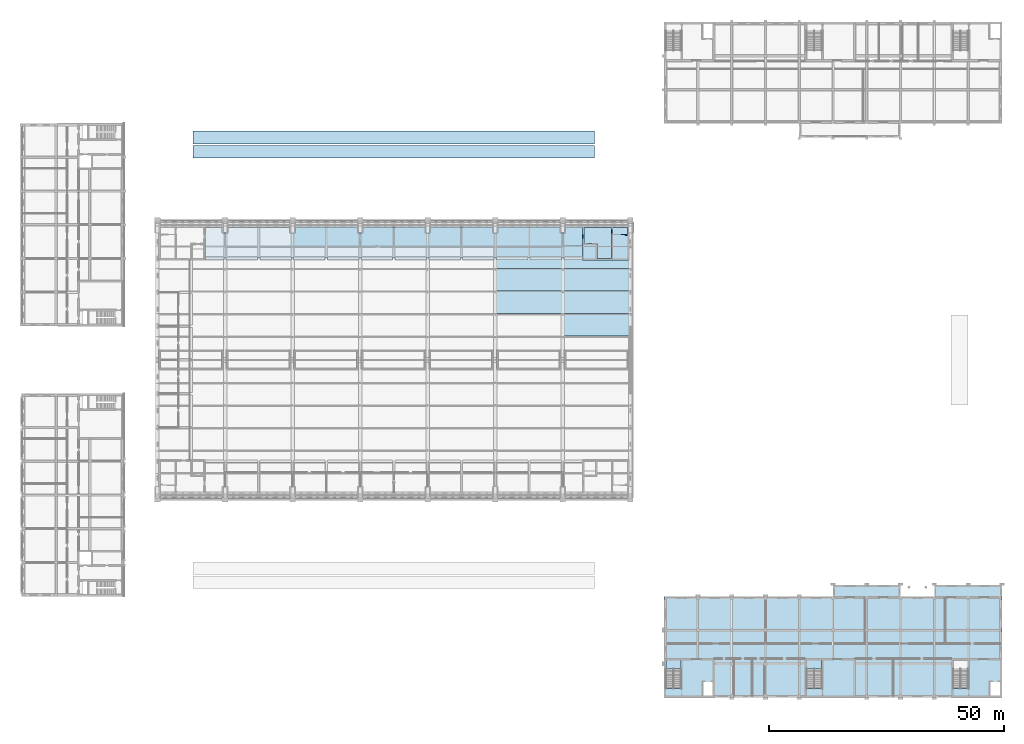
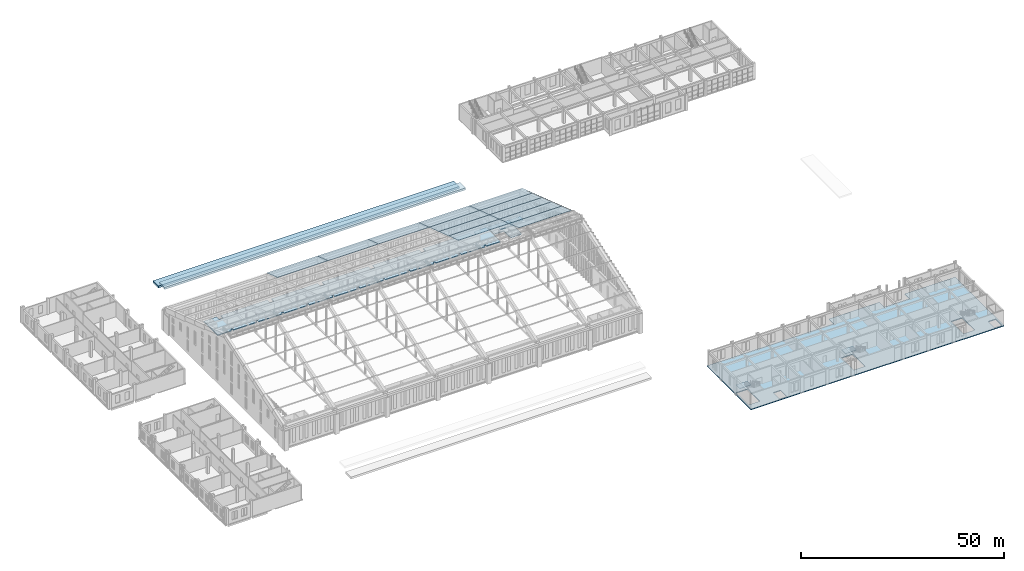
# One storey, part 115 of 149: 21 slabs, 2 elements without a shape of their own.
"""IFC4 building model written with IfcOpenShell, lengths in metres."""

import ifcopenshell
import ifcopenshell.guid

model = None  # the IFC model being written
_history = None  # IfcOwnerHistory: only IFC2X3 demands one
_inside = {}  # id of a spatial element -> (the spatial element, [elements in it])
_under = {}  # id of a project, library or spatial element -> (it, [spatial elements below it])
_declared = {}  # id of a project -> (the project, [libraries it declares])
_typed = {}  # id of a type object -> (the type object, [elements of that type])
_made_of = {}  # id of a material, layer set ... -> (it, [elements and type objects made of it])


def new_model(schema):
    """Start an empty IFC model of exactly this schema.

    Asked for "IFC4X3", IfcOpenShell would pick the latest addendum, in which some entities
    have other attributes; the version numbers below select the first issue.
    IFC2X3 requires an IfcOwnerHistory on every rooted entity: one is made here for all.
    """
    global model, _history
    if schema == "IFC4X3":
        model = ifcopenshell.file(schema_version=(4, 3, 0, 0))
    else:
        model = ifcopenshell.file(schema=schema)
    _inside.clear()
    _under.clear()
    _declared.clear()
    _typed.clear()
    _made_of.clear()
    _history = None
    if model.schema == "IFC2X3":
        org = make("IfcOrganization", Name="unknown")
        user = make(
            "IfcPersonAndOrganization",
            ThePerson=make("IfcPerson", FamilyName="unknown"),
            TheOrganization=org,
        )
        app = make(
            "IfcApplication",
            ApplicationDeveloper=org,
            Version="unknown",
            ApplicationFullName="unknown",
            ApplicationIdentifier="unknown",
        )
        _history = make(
            "IfcOwnerHistory",
            OwningUser=user,
            OwningApplication=app,
            ChangeAction="ADDED",
            CreationDate=0,
        )
    return model


def make(cls, **values):
    """One entity of the class cls with the attributes given. An attribute that is None is left unset."""
    return model.create_entity(
        cls, **{name: value for name, value in values.items() if value is not None}
    )


def rooted(cls, **values):
    """An entity with a GlobalId (a new one), such as an element, a storey or a relation."""
    return make(cls, GlobalId=ifcopenshell.guid.new(), OwnerHistory=_history, **values)


def si_unit(unit_type, name, prefix=None):
    """IfcSIUnit, for example si_unit("LENGTHUNIT", "METRE", prefix="MILLI")."""
    return make("IfcSIUnit", UnitType=unit_type, Prefix=prefix, Name=name)


def assignment(units):
    """IfcUnitAssignment: the units of a project."""
    return None if units is None else make("IfcUnitAssignment", Units=units)


def point(xyz):
    """IfcCartesianPoint."""
    return None if xyz is None else make("IfcCartesianPoint", Coordinates=xyz)


def direction(xyz):
    """IfcDirection."""
    return None if xyz is None else make("IfcDirection", DirectionRatios=xyz)


def frame(location, z_axis=None, x_axis=None):
    """IfcAxis2Placement3D, a coordinate frame: its origin and axes. An axis left out is left unset."""
    return make(
        "IfcAxis2Placement3D",
        Location=point(location),
        Axis=direction(z_axis),
        RefDirection=direction(x_axis),
    )


def origin():
    """The frame at (0, 0, 0) with its axes left unset."""
    return frame((0.0, 0.0, 0.0))


def place(relative_to, where):
    """IfcLocalPlacement: puts the frame where relative to a parent placement (None: the world)."""
    return make(
        "IfcLocalPlacement", PlacementRelTo=relative_to, RelativePlacement=where
    )


def context(
    kind, dimensions, precision=None, world=None, true_north=None, identifier=None
):
    """IfcGeometricRepresentationContext, for example the 3D "Model" context."""
    return make(
        "IfcGeometricRepresentationContext",
        ContextIdentifier=identifier,
        ContextType=kind,
        CoordinateSpaceDimension=dimensions,
        Precision=precision,
        WorldCoordinateSystem=world,
        TrueNorth=true_north,
    )


def subcontext(parent, identifier, kind, view, scale=None):
    """IfcGeometricRepresentationSubContext, for example "Body" below "Model"."""
    return make(
        "IfcGeometricRepresentationSubContext",
        ContextIdentifier=identifier,
        ContextType=kind,
        ParentContext=parent,
        TargetScale=scale,
        TargetView=view,
    )


def project(units=None, contexts=None):
    """IfcProject with its units and contexts."""
    return rooted(
        "IfcProject",
        Name="project",
        RepresentationContexts=contexts,
        UnitsInContext=assignment(units),
    )


def spatial(cls, under=None, at=None, **own):
    """A site, building, storey or space (cls), placed at a placement, below another one or the project."""
    s = rooted(cls, ObjectPlacement=at, **own)
    if under is not None:
        _under.setdefault(under.id(), (under, []))[1].append(s)
    return s


def polyline(points):
    """IfcPolyline through the points."""
    return make("IfcPolyline", Points=[point(p) for p in points])


def outline(outer, holes=None, kind="AREA"):
    """IfcArbitraryClosedProfileDef: a profile drawn as a closed curve; with holes, ...WithVoids."""
    if holes is None:
        return make("IfcArbitraryClosedProfileDef", ProfileType=kind, OuterCurve=outer)
    return make(
        "IfcArbitraryProfileDefWithVoids",
        ProfileType=kind,
        OuterCurve=outer,
        InnerCurves=holes,
    )


def extrude(swept, where, along, depth):
    """IfcExtrudedAreaSolid: the profile swept, set in the frame where, extruded along a direction by depth."""
    return make(
        "IfcExtrudedAreaSolid",
        SweptArea=swept,
        Position=where,
        ExtrudedDirection=direction(along),
        Depth=depth,
    )


def shape(context_of_items, identifier, shape_type, items):
    """IfcShapeRepresentation: the items that make up one representation, for example the "Body"."""
    return make(
        "IfcShapeRepresentation",
        ContextOfItems=context_of_items,
        RepresentationIdentifier=identifier,
        RepresentationType=shape_type,
        Items=items,
    )


def material(Name=None, Category=None):
    """IfcMaterial."""
    return make("IfcMaterial", Name=Name, Category=Category)


def layer(
    of_material, thickness, ventilated=None, Name=None, Category=None, Priority=None
):
    """IfcMaterialLayer: one layer of a wall or slab, of a material (None: an air gap)."""
    return make(
        "IfcMaterialLayer",
        Material=of_material,
        LayerThickness=thickness,
        IsVentilated=ventilated,
        Name=Name,
        Category=Category,
        Priority=Priority,
    )


def layer_set(layers, Name=None):
    """IfcMaterialLayerSet."""
    return make("IfcMaterialLayerSet", MaterialLayers=layers, LayerSetName=Name)


def made_of(thing, what):
    """Note that an element or type object is made of a material, layer set ...; save() writes the relation."""
    if what is not None:
        _made_of.setdefault(what.id(), (what, []))[1].append(thing)
    return thing


def type_object(cls, material=None, **own):
    """A type object (cls), such as IfcWallType, which elements share."""
    return made_of(rooted(cls, **own), material)


def element(
    cls,
    number,
    at=None,
    inside=None,
    cuts=None,
    type_object=None,
    material=None,
    context=None,
    identifier="Body",
    shape_type=None,
    held_by="IfcProductDefinitionShape",
    body=None,
    shapes=None,
    **own,
):
    """One element of the class cls, such as IfcWall. Its Tag is "e" and its number.

    at: its placement. inside: the storey or other place that contains it. cuts: it is an
    opening in that element (IfcRelVoidsElement). A single representation is given by context,
    identifier, shape_type and body (its items); several are given by shapes. held_by: the class
    of the entity that holds the representations. save() writes the other relations.
    """
    e = rooted(cls, Tag="e%d" % number, ObjectPlacement=at, **own)
    if body is not None:
        shapes = [shape(context, identifier, shape_type, body)]
    if shapes is not None:
        e.Representation = make(held_by, Representations=shapes)
    if inside is not None:
        _inside.setdefault(inside.id(), (inside, []))[1].append(e)
    if cuts is not None:
        rooted(
            "IfcRelVoidsElement", RelatingBuildingElement=cuts, RelatedOpeningElement=e
        )
    if type_object is not None:
        _typed.setdefault(type_object.id(), (type_object, []))[1].append(e)
    return made_of(e, material)


def aggregate(whole, parts):
    """IfcRelAggregates: a whole, such as a stair, and the parts it consists of."""
    return rooted("IfcRelAggregates", RelatingObject=whole, RelatedObjects=parts)


def save(model, path):
    """Write the relations noted so far, then the file.

    IfcRelAggregates (storeys below a building ...), IfcRelContainedInSpatialStructure (elements
    in a storey), IfcRelDefinesByType, IfcRelAssociatesMaterial and IfcRelDeclares: one each for
    every whole, place, type object, material and project.
    """
    for whole, parts in _under.values():
        aggregate(whole, parts)
    for where, things in _inside.values():
        rooted(
            "IfcRelContainedInSpatialStructure",
            RelatedElements=things,
            RelatingStructure=where,
        )
    for kind, things in _typed.values():
        rooted("IfcRelDefinesByType", RelatedObjects=things, RelatingType=kind)
    for what, things in _made_of.values():
        rooted("IfcRelAssociatesMaterial", RelatedObjects=things, RelatingMaterial=what)
    for by, libraries in _declared.values():
        rooted("IfcRelDeclares", RelatingContext=by, RelatedDefinitions=libraries)
    model.write(path)


model = new_model("IFC4")

# Units and contexts
model_context = context("Model", 3, precision=1e-05, world=origin(), true_north=direction((0.0, 1.0)))
body_context = subcontext(model_context, "Body", "Model", "MODEL_VIEW")
ifc_project = project(units=[si_unit("LENGTHUNIT", "METRE"), si_unit("AREAUNIT", "SQUARE_METRE"), si_unit("VOLUMEUNIT", "CUBIC_METRE"), si_unit("PLANEANGLEUNIT", "RADIAN"), si_unit("MASSUNIT", "GRAM", prefix="KILO")], contexts=[model_context])

# Site, building, storey
site_placement = place(None, origin())
site = spatial("IfcSite", under=ifc_project, at=site_placement, CompositionType="ELEMENT")
building_placement = place(site_placement, origin())
building = spatial("IfcBuilding", under=site, at=building_placement, Name="Alderwick Market Hall", CompositionType="ELEMENT")
storey_placement = place(building_placement, frame((0.0, 0.0, 9.60009765625)))
storey = spatial("IfcBuildingStorey", under=building, at=storey_placement, Name="L01", CompositionType="ELEMENT", Elevation=9.60009765625)

# Slabs
ifc_material_1 = material(Name="Planted soil build-up, Concrete 4000 psi (f'c 28 MPa) drainage layer", Category="concrete")
ifc_layer_1 = layer(ifc_material_1, 0.60009765625)
ifc_layer_set_1 = layer_set([ifc_layer_1], Name="Planted soil build-up, Concrete 4000 psi (f'c 28 MPa) drainage layer")
slab_type_1 = type_object("IfcSlabType", Name="A Planted Terrace Tread 600", PredefinedType="ROOF", material=ifc_layer_set_1)
slab_1_placement = place(storey_placement, frame((0.0, 0.0, 1.39990234375)))
element("IfcSlab", 1, at=slab_1_placement, inside=storey, type_object=slab_type_1, Name="Planted terrace tread 1", PredefinedType="ROOF", context=body_context, shape_type="SweptSolid", body=[
    extrude(outline(polyline([(58.0, 122.25), (143.60009765625, 122.25), (143.60009765625, 124.949951171875), (58.0, 124.949951171875), (58.0, 122.25)])), origin(), (0.0, 0.0, 1.0), 0.60009765625),
])
slab_2_placement = place(storey_placement, origin())
element("IfcSlab", 2, at=slab_2_placement, inside=storey, type_object=slab_type_1, Name="Planted terrace tread 2", PredefinedType="ROOF", context=body_context, shape_type="SweptSolid", body=[
    extrude(outline(polyline([(58.0, 125.25), (143.60009765625, 125.25), (143.60009765625, 127.949951171875), (58.0, 127.949951171875), (58.0, 125.25)])), origin(), (0.0, 0.0, 1.0), 0.599853515625),
])
ifc_material_2 = material(Name="Concrete 4000 psi (f'c 28 MPa)", Category="concrete")
ifc_layer_2 = layer(ifc_material_2, 0.25)
ifc_layer_set_2 = layer_set([ifc_layer_2], Name="Concrete 4000 psi (f'c 28 MPa)")
slab_type_2 = type_object("IfcSlabType", Name="C Floor Slab Concrete 4000 psi 250", PredefinedType="FLOOR", material=ifc_layer_set_2)
slab_3_placement = place(storey_placement, frame((0.0, 0.0, -0.25)))
element("IfcSlab", 3, at=slab_3_placement, inside=storey, type_object=slab_type_2, Name="C.slab.L01.01", PredefinedType="FLOOR", context=body_context, shape_type="SweptSolid", body=[
    extrude(outline(polyline([(158.39990234375, 7.199951171875), (230.39990234375, 7.199951171875), (230.39990234375, 31.199951171875), (216.0, 31.199951171875), (216.0, 28.800048828125), (208.800048828125, 28.800048828125), (208.800048828125, 31.199951171875), (194.39990234375, 31.199951171875), (194.39990234375, 28.800048828125), (158.39990234375, 28.800048828125), (158.39990234375, 7.199951171875)]), holes=[polyline([(158.800048828125, 15.199951171875), (162.0, 15.199951171875), (162.0, 9.110107421875), (158.800048828125, 9.110107421875), (158.800048828125, 15.199951171875)]), polyline([(166.699951171875, 10.60009765625), (168.800048828125, 10.60009765625), (168.800048828125, 7.60009765625), (166.699951171875, 7.60009765625), (166.699951171875, 10.60009765625)]), polyline([(188.800048828125, 15.199951171875), (192.0, 15.199951171875), (192.0, 9.110107421875), (188.800048828125, 9.110107421875), (188.800048828125, 15.199951171875)]), polyline([(220.0, 15.199951171875), (223.199951171875, 15.199951171875), (223.199951171875, 9.110107421875), (220.0, 9.110107421875), (220.0, 15.199951171875)]), polyline([(227.89990234375, 10.60009765625), (230.0, 10.60009765625), (230.0, 7.60009765625), (227.89990234375, 7.60009765625), (227.89990234375, 10.60009765625)])]), origin(), (0.0, 0.0, 1.0), 0.25),
])

# Stair, slab
ifc_material_3 = material(Name="Concrete 5000 psi (f'c 35 MPa)", Category="concrete")
stair_type = type_object("IfcStairType", Name="C Exit Stair 1600", PredefinedType="HALF_TURN_STAIR", material=ifc_material_3)
stair_1_placement = place(storey_placement, origin())
stair_1 = element("IfcStair", 4, at=stair_1_placement, inside=storey, type_object=stair_type, Name="C.stair.L01.A", PredefinedType="HALF_TURN_STAIR")
ifc_layer_3 = layer(ifc_material_3, 0.199951171875)
ifc_layer_set_3 = layer_set([ifc_layer_3], Name="Concrete 5000 psi (f'c 35 MPa)")
slab_type_3 = type_object("IfcSlabType", Name="C Stair Landing Concrete 5000 psi 200", PredefinedType="LANDING", material=ifc_layer_set_3)
slab_4_placement = place(storey_placement, frame((0.0, 0.0, 2.199951171875)))
slab_4 = element("IfcSlab", 5, at=slab_4_placement, type_object=slab_type_3, Name="C-ST-A-L01 landing 1", PredefinedType="LANDING", context=body_context, shape_type="SweptSolid", body=[
    extrude(outline(polyline([(158.800048828125, 15.199951171875), (162.0, 15.199951171875), (162.0, 13.300048828125), (158.800048828125, 13.300048828125), (158.800048828125, 15.199951171875)])), origin(), (0.0, 0.0, 1.0), 0.199951171875),
])
aggregate(stair_1, [slab_4])

stair_2_placement = place(storey_placement, origin())
stair_2 = element("IfcStair", 6, at=stair_2_placement, inside=storey, type_object=stair_type, Name="C.stair.L01.B", PredefinedType="HALF_TURN_STAIR")
slab_5_placement = place(storey_placement, frame((0.0, 0.0, 2.199951171875)))
slab_5 = element("IfcSlab", 7, at=slab_5_placement, type_object=slab_type_3, Name="C-ST-B-L01 landing 1", PredefinedType="LANDING", context=body_context, shape_type="SweptSolid", body=[
    extrude(outline(polyline([(188.800048828125, 15.199951171875), (192.0, 15.199951171875), (192.0, 13.300048828125), (188.800048828125, 13.300048828125), (188.800048828125, 15.199951171875)])), origin(), (0.0, 0.0, 1.0), 0.199951171875),
])
aggregate(stair_2, [slab_5])

# Slabs
ifc_layer_4 = layer(ifc_material_2, 0.199951171875)
ifc_layer_set_4 = layer_set([ifc_layer_4], Name="Concrete 4000 psi (f'c 28 MPa)")
slab_type_4 = type_object("IfcSlabType", Name="H Core roof slab 200", PredefinedType="ROOF", material=ifc_layer_set_4)
slab_6_placement = place(storey_placement, frame((0.0, 0.0, 3.39990234375)))
element("IfcSlab", 8, at=slab_6_placement, inside=storey, type_object=slab_type_4, Name="Core roof H-NE", PredefinedType="ROOF", context=body_context, shape_type="SweptSolid", body=[
    extrude(outline(polyline([(150.89990234375, 100.510009765625), (141.050048828125, 100.510009765625), (141.050048828125, 107.39990234375), (150.10009765625, 107.39990234375), (150.10009765625, 105.699951171875), (150.89990234375, 105.699951171875), (150.89990234375, 100.510009765625)])), origin(), (0.0, 0.0, 1.0), 0.199951171875),
])
ifc_layer_5 = layer(ifc_material_2, 0.25)
ifc_layer_set_5 = layer_set([ifc_layer_5], Name="Concrete 4000 psi (f'c 28 MPa)")
slab_type_5 = type_object("IfcSlabType", Name="H Gallery slab 250", PredefinedType="FLOOR", material=ifc_layer_set_5)
slab_7_placement = place(storey_placement, frame((0.0, 0.0, -0.25)))
element("IfcSlab", 9, at=slab_7_placement, inside=storey, type_object=slab_type_5, Name="Gallery floor L01", PredefinedType="FLOOR", context=body_context, shape_type="SweptSolid", body=[
    extrude(outline(polyline([(64.199951171875, 107.39990234375), (64.199951171875, 106.199951171875), (65.39990234375, 106.199951171875), (65.39990234375, 107.39990234375), (78.60009765625, 107.39990234375), (78.60009765625, 106.199951171875), (79.800048828125, 106.199951171875), (79.800048828125, 107.39990234375), (93.0, 107.39990234375), (93.0, 106.199951171875), (94.199951171875, 106.199951171875), (94.199951171875, 107.39990234375), (107.39990234375, 107.39990234375), (107.39990234375, 106.199951171875), (108.60009765625, 106.199951171875), (108.60009765625, 107.39990234375), (121.800048828125, 107.39990234375), (121.800048828125, 106.199951171875), (123.0, 106.199951171875), (123.0, 107.39990234375), (136.199951171875, 107.39990234375), (136.199951171875, 106.199951171875), (137.39990234375, 106.199951171875), (137.39990234375, 107.39990234375), (141.050048828125, 107.39990234375), (141.050048828125, 100.510009765625), (137.050048828125, 100.510009765625), (137.050048828125, 101.010009765625), (136.550048828125, 101.010009765625), (136.550048828125, 100.510009765625), (129.85009765625, 100.510009765625), (129.85009765625, 101.010009765625), (129.35009765625, 101.010009765625), (129.35009765625, 100.510009765625), (122.64990234375, 100.510009765625), (122.64990234375, 101.010009765625), (122.14990234375, 101.010009765625), (122.14990234375, 100.510009765625), (115.449951171875, 100.510009765625), (115.449951171875, 101.010009765625), (114.949951171875, 101.010009765625), (114.949951171875, 100.510009765625), (108.25, 100.510009765625), (108.25, 101.010009765625), (107.75, 101.010009765625), (107.75, 100.510009765625), (101.050048828125, 100.510009765625), (101.050048828125, 101.010009765625), (100.550048828125, 101.010009765625), (100.550048828125, 100.510009765625), (93.85009765625, 100.510009765625), (93.85009765625, 101.010009765625), (93.35009765625, 101.010009765625), (93.35009765625, 100.510009765625), (86.64990234375, 100.510009765625), (86.64990234375, 101.010009765625), (86.14990234375, 101.010009765625), (86.14990234375, 100.510009765625), (79.449951171875, 100.510009765625), (79.449951171875, 101.010009765625), (78.949951171875, 101.010009765625), (78.949951171875, 100.510009765625), (72.25, 100.510009765625), (72.25, 101.010009765625), (71.75, 101.010009765625), (71.75, 100.510009765625), (65.050048828125, 100.510009765625), (65.050048828125, 101.010009765625), (64.550048828125, 101.010009765625), (64.550048828125, 100.510009765625), (60.550048828125, 100.510009765625), (60.550048828125, 107.39990234375), (64.199951171875, 107.39990234375)])), origin(), (0.0, 0.0, 1.0), 0.25),
])
slab_8_placement = place(storey_placement, frame((0.0, 0.0, -0.25)))
element("IfcSlab", 10, at=slab_8_placement, inside=storey, type_object=slab_type_5, Name="Core floor H-NE L01", PredefinedType="FLOOR", context=body_context, shape_type="SweptSolid", body=[
    extrude(outline(polyline([(144.050048828125, 104.010009765625), (141.300048828125, 104.010009765625), (141.300048828125, 107.39990234375), (147.199951171875, 107.39990234375), (147.199951171875, 100.760009765625), (144.050048828125, 100.760009765625), (144.050048828125, 104.010009765625)])), origin(), (0.0, 0.0, 1.0), 0.25),
])
slab_9_placement = place(storey_placement, frame((0.0, 0.0, -0.25)))
element("IfcSlab", 11, at=slab_9_placement, inside=storey, type_object=slab_type_5, Name="Core floor H-NE L01", PredefinedType="FLOOR", context=body_context, shape_type="SweptSolid", body=[
    extrude(outline(polyline([(150.60009765625, 105.89990234375), (147.449951171875, 105.89990234375), (147.449951171875, 107.39990234375), (150.60009765625, 107.39990234375), (150.60009765625, 105.89990234375)])), origin(), (0.0, 0.0, 1.0), 0.25),
])
ifc_material_4 = material(Name="Steel ASTM A653 Grade 50 roof deck", Category="steel")
ifc_layer_6 = layer(ifc_material_4, 0.080078125)
ifc_layer_set_6 = layer_set([ifc_layer_6], Name="Steel ASTM A653 Grade 50 roof deck")
slab_type_6 = type_object("IfcSlabType", Name="R Roof Deck 80 mm", PredefinedType="ROOF", material=ifc_layer_set_6)
slab_10_placement = place(storey_placement, frame((79.199951171875, 103.46240234375, 8.9873046875), z_axis=(0.0, 0.316227766017, 0.948683298051), x_axis=(1.0, 0.0, 0.0)))
element("IfcSlab", 12, at=slab_10_placement, inside=storey, type_object=slab_type_6, Name="Roof deck 3.12", PredefinedType="ROOF", context=body_context, shape_type="SweptSolid", body=[
    extrude(outline(polyline([(0.0, 0.0), (14.400146484375, 0.0), (14.400146484375, 5.442113092413796), (0.0, 5.442113092413796), (0.0, 0.0)])), origin(), (0.0, 0.0, -1.0), 0.080078125),
])
for number, where, z_axis, x_axis, name in (
    (13, (93.60009765625, 103.46240234375, 8.9873046875), (0.0, 0.316227766017, 0.948683298051), (1.0, 0.0, 0.0), "Roof deck 4.12"),
    (14, (108.0, 103.46240234375, 8.9873046875), (0.0, 0.316227766017, 0.948683298051), (1.0, 0.0, 0.0), "Roof deck 5.12"),
):
    element("IfcSlab", number, at=place(storey_placement, frame(where, z_axis=z_axis, x_axis=x_axis)), inside=storey, type_object=slab_type_6, Name=name, PredefinedType="ROOF", context=body_context, shape_type="SweptSolid", body=[
        extrude(outline(polyline([(0.0, 0.0), (14.39990234375, 0.0), (14.39990234375, 5.442113092413796), (0.0, 5.442113092413796), (0.0, 0.0)])), origin(), (0.0, 0.0, -1.0), 0.080078125),
    ])
slab_11_placement = place(storey_placement, frame((122.39990234375, 89.0625, 13.787353515625), z_axis=(0.0, 0.316242241517, 0.948678472761), x_axis=(1.0, 0.0, 0.0)))
element("IfcSlab", 15, at=slab_11_placement, inside=storey, type_object=slab_type_6, Name="Roof deck 6.9", PredefinedType="ROOF", context=body_context, shape_type="SweptSolid", body=[
    extrude(outline(polyline([(0.0, 0.0), (14.400146484375, 0.0), (14.400146484375, 5.059721460902856), (0.0, 5.059721460902856), (0.0, 0.0)])), origin(), (0.0, 0.0, -1.0), 0.080078125),
])
slab_12_placement = place(storey_placement, frame((122.39990234375, 93.862548828125, 12.187255859375), z_axis=(0.0, 0.316213289559, 0.948688123414), x_axis=(1.0, 0.0, 0.0)))
element("IfcSlab", 16, at=slab_12_placement, inside=storey, type_object=slab_type_6, Name="Roof deck 6.10", PredefinedType="ROOF", context=body_context, shape_type="SweptSolid", body=[
    extrude(outline(polyline([(0.0, 0.0), (14.400146484375, 0.0), (14.400146484375, 5.059412644725141), (0.0, 5.059412644725141), (0.0, 0.0)])), origin(), (0.0, 0.0, -1.0), 0.080078125),
])
slab_13_placement = place(storey_placement, frame((122.39990234375, 98.662353515625, 10.58740234375), z_axis=(0.0, 0.316242241517, 0.948678472761), x_axis=(1.0, 0.0, 0.0)))
element("IfcSlab", 17, at=slab_13_placement, inside=storey, type_object=slab_type_6, Name="Roof deck 6.11", PredefinedType="ROOF", context=body_context, shape_type="SweptSolid", body=[
    extrude(outline(polyline([(0.0, 0.0), (14.400146484375, 0.0), (14.400146484375, 5.059721460902856), (0.0, 5.059721460902856), (0.0, 0.0)])), origin(), (0.0, 0.0, -1.0), 0.080078125),
])
slab_14_placement = place(storey_placement, frame((122.39990234375, 103.46240234375, 8.9873046875), z_axis=(0.0, 0.316227766017, 0.948683298051), x_axis=(1.0, 0.0, 0.0)))
element("IfcSlab", 18, at=slab_14_placement, inside=storey, type_object=slab_type_6, Name="Roof deck 6.12", PredefinedType="ROOF", context=body_context, shape_type="SweptSolid", body=[
    extrude(outline(polyline([(0.0, 0.0), (14.400146484375, 0.0), (14.400146484375, 5.442113092413796), (0.0, 5.442113092413796), (0.0, 0.0)])), origin(), (0.0, 0.0, -1.0), 0.080078125),
])
slab_15_placement = place(storey_placement, frame((136.800048828125, 84.262451171875, 15.38720703125), z_axis=(0.0, 0.316198814353, 0.948692948114), x_axis=(1.0, 0.0, 0.0)))
element("IfcSlab", 19, at=slab_15_placement, inside=storey, type_object=slab_type_6, Name="Roof deck 7.8", PredefinedType="ROOF", context=body_context, shape_type="SweptSolid", body=[
    extrude(outline(polyline([(0.0, 0.0), (15.099853515625, 0.0), (15.099853515625, 5.059644258625488), (0.0, 5.059644258625488), (0.0, 0.0)])), origin(), (0.0, 0.0, -1.0), 0.080078125),
])
slab_16_placement = place(storey_placement, frame((136.800048828125, 89.0625, 13.787353515625), z_axis=(0.0, 0.316242241517, 0.948678472761), x_axis=(1.0, 0.0, 0.0)))
element("IfcSlab", 20, at=slab_16_placement, inside=storey, type_object=slab_type_6, Name="Roof deck 7.9", PredefinedType="ROOF", context=body_context, shape_type="SweptSolid", body=[
    extrude(outline(polyline([(0.0, 0.0), (15.099853515625, 0.0), (15.099853515625, 5.059721460902855), (0.0, 5.059721460902855), (0.0, 0.0)])), origin(), (0.0, 0.0, -1.0), 0.080078125),
])
slab_17_placement = place(storey_placement, frame((136.800048828125, 93.862548828125, 12.187255859375), z_axis=(0.0, 0.316213289559, 0.948688123414), x_axis=(1.0, 0.0, 0.0)))
element("IfcSlab", 21, at=slab_17_placement, inside=storey, type_object=slab_type_6, Name="Roof deck 7.10", PredefinedType="ROOF", context=body_context, shape_type="SweptSolid", body=[
    extrude(outline(polyline([(0.0, 0.0), (15.099853515625, 0.0), (15.099853515625, 5.059412644725141), (0.0, 5.059412644725141), (0.0, 0.0)])), origin(), (0.0, 0.0, -1.0), 0.080078125),
])
slab_18_placement = place(storey_placement, frame((136.800048828125, 98.662353515625, 10.58740234375), z_axis=(0.0, 0.316242241517, 0.948678472761), x_axis=(1.0, 0.0, 0.0)))
element("IfcSlab", 22, at=slab_18_placement, inside=storey, type_object=slab_type_6, Name="Roof deck 7.11", PredefinedType="ROOF", context=body_context, shape_type="SweptSolid", body=[
    extrude(outline(polyline([(0.0, 0.0), (15.099853515625, 0.0), (15.099853515625, 5.059721460902855), (0.0, 5.059721460902855), (0.0, 0.0)])), origin(), (0.0, 0.0, -1.0), 0.080078125),
])
slab_19_placement = place(storey_placement, frame((136.800048828125, 103.46240234375, 8.9873046875), z_axis=(0.0, 0.316227766017, 0.948683298051), x_axis=(1.0, 0.0, 0.0)))
element("IfcSlab", 23, at=slab_19_placement, inside=storey, type_object=slab_type_6, Name="Roof deck 7.12", PredefinedType="ROOF", context=body_context, shape_type="SweptSolid", body=[
    extrude(outline(polyline([(0.0, 0.0), (15.099853515625, 0.0), (15.099853515625, 5.442113092413796), (0.0, 5.442113092413796), (0.0, 0.0)])), origin(), (0.0, 0.0, -1.0), 0.080078125),
])

save(model, "model.ifc")
